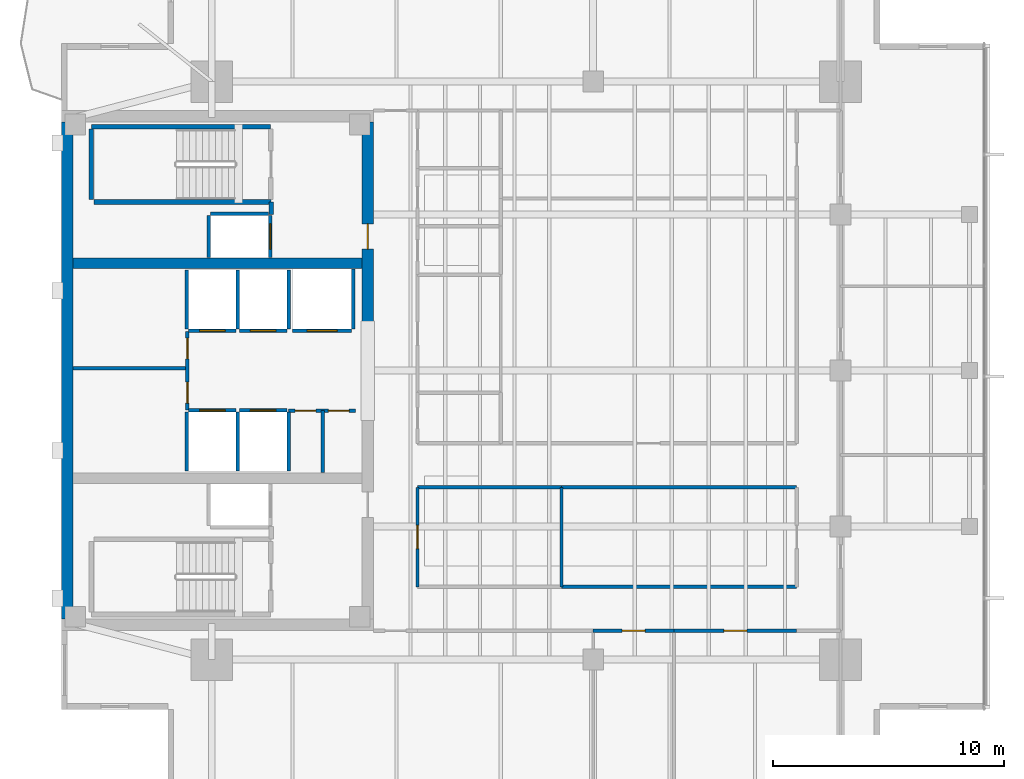
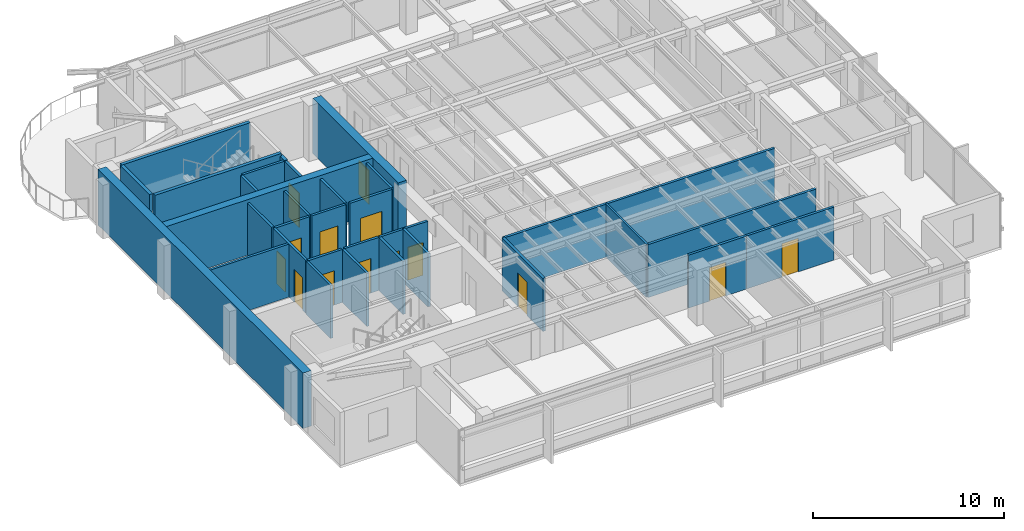
# One storey, part 8 of 14: 33 walls, 14 doors, 14 openings.
"""IFC4 building model written with IfcOpenShell, lengths in metres."""

from ifc_helpers import new_model, si_unit, direction, frame, frame_2d, origin, place, context, subcontext, project, spatial, rectangle, extrude, material, layer, layer_set, type_object, element, fill, save


model = new_model("IFC4")

# Units and contexts
model_context = context("Model", 3, precision=1e-05, world=origin(), true_north=direction((0.0, 1.0)))
body_context = subcontext(model_context, "Body", "Model", "MODEL_VIEW")
ifc_project = project(units=[si_unit("LENGTHUNIT", "METRE"), si_unit("AREAUNIT", "SQUARE_METRE"), si_unit("VOLUMEUNIT", "CUBIC_METRE"), si_unit("PLANEANGLEUNIT", "RADIAN"), si_unit("MASSUNIT", "GRAM", prefix="KILO")], contexts=[model_context])

# Site, building, storey
site_placement = place(None, origin())
site = spatial("IfcSite", under=ifc_project, at=site_placement, CompositionType="ELEMENT")
building_placement = place(site_placement, origin())
building = spatial("IfcBuilding", under=site, at=building_placement, Name="Kinhvarn Gate Tower", CompositionType="ELEMENT")
storey_placement = place(building_placement, frame((0.0, 0.0, 270.550048828125)))
storey = spatial("IfcBuildingStorey", under=building, at=storey_placement, Name="L72", CompositionType="ELEMENT", Elevation=270.550048828125)

# Wall
ifc_material_1 = material(Name="Concrete C50/60", Category="concrete")
ifc_layer_1 = layer(ifc_material_1, 0.449951171875)
ifc_layer_set_1 = layer_set([ifc_layer_1], Name="Concrete C50/60")
wall_type_1 = type_object("IfcWallType", Name="WL-CORE-450", PredefinedType="SHEAR", material=ifc_layer_set_1)
wall_1_placement = place(storey_placement, frame((5.0, 29.89990234375, 0.0), z_axis=(0.0, 0.0, 1.0), x_axis=(1.0, 0.0, 0.0)))
element("IfcWall", 1, at=wall_1_placement, inside=storey, type_object=wall_type_1, Name="Core North Spine Shear Wall L72 450 mm", PredefinedType="SHEAR", context=body_context, shape_type="SweptSolid", body=[
    extrude(rectangle(XDim=12.5, YDim=0.449951171875, at=frame_2d((6.25, 0.0))), origin(), (0.0, 0.0, 1.0), 3.550048828125),
])

# Wall, opening, door
ifc_layer_2 = layer(ifc_material_1, 0.5)
ifc_layer_set_2 = layer_set([ifc_layer_2], Name="Concrete C50/60")
wall_type_2 = type_object("IfcWallType", Name="WL-CORE-500", PredefinedType="SHEAR", material=ifc_layer_set_2)
wall_2_placement = place(storey_placement, frame((17.75, 27.050048828125, 0.0), z_axis=(0.0, 0.0, 1.0), x_axis=(0.0, 1.0, 0.0)))
wall_2 = element("IfcWall", 2, at=wall_2_placement, inside=storey, type_object=wall_type_2, Name="Core East-North Shear Pier L72 500 mm", PredefinedType="SHEAR", context=body_context, shape_type="SweptSolid", body=[
    extrude(rectangle(XDim=8.949951171875, YDim=0.5, at=frame_2d((4.47509765625, 0.0))), origin(), (0.0, 0.0, 1.0), 3.550048828125),
])
opening_1_placement = place(wall_2_placement, frame((3.449951171875, 0.0, 0.0)))
opening_1 = element("IfcOpeningElement", 3, at=opening_1_placement, cuts=wall_2, Name="Opening FD-02", PredefinedType="OPENING", context=body_context, shape_type="SweptSolid", body=[
    extrude(rectangle(XDim=1.10009765625, YDim=2.14990234375, at=frame_2d((0.550048828125, 1.074951171875))), frame((0.0, 0.260009765625, 0.0), z_axis=(0.0, -1.0, 0.0), x_axis=(1.0, 0.0, 0.0)), (0.0, 0.0, 1.0), 0.52001953125),
])
ifc_material_2 = material(Name="Anodised aluminium AW-6063", Category="aluminium")
door_type_1 = type_object("IfcDoorType", Name="DR-FD-1100", OperationType="NOTDEFINED", PredefinedType="DOOR", material=ifc_material_2)
door_1_placement = place(opening_1_placement, origin())
door_1 = element("IfcDoor", 4, at=door_1_placement, inside=storey, type_object=door_type_1, Name="Firefighting Lobby Core Door (L72)", OperationType="SINGLE_SWING_LEFT", OverallHeight=2.14990234375, OverallWidth=1.10009765625, PredefinedType="DOOR", context=body_context, shape_type="SweptSolid", body=[
    extrude(rectangle(XDim=1.10009765625, YDim=2.14990234375, at=frame_2d((0.550048828125, 1.074951171875))), frame((0.0, 0.02490234375, 0.0), z_axis=(0.0, -1.0, 0.0), x_axis=(1.0, 0.0, 0.0)), (0.0, 0.0, 1.0), 0.050048828125),
])
fill(opening_1, door_1)

# Walls
ifc_layer_3 = layer(ifc_material_1, 0.5)
ifc_layer_set_3 = layer_set([ifc_layer_3], Name="Concrete C50/60")
wall_type_3 = type_object("IfcWallType", Name="WL-COREX-500", PredefinedType="SHEAR", material=ifc_layer_set_3)
wall_3_placement = place(storey_placement, frame((4.75, 14.5, 0.0), z_axis=(0.0, 0.0, 1.0), x_axis=(0.0, 1.0, 0.0)))
element("IfcWall", 5, at=wall_3_placement, inside=storey, type_object=wall_type_3, Name="Core West Shear Wall L72 500 mm", PredefinedType="SHEAR", context=body_context, shape_type="SweptSolid", body=[
    extrude(rectangle(XDim=21.5, YDim=0.5, at=frame_2d((10.75, 0.0))), origin(), (0.0, 0.0, 1.0), 3.550048828125),
])
ifc_material_3 = material(Name="Gypsum acoustic partition board")
ifc_layer_4 = layer(ifc_material_3, 0.1201171875)
ifc_layer_set_4 = layer_set([ifc_layer_4], Name="Gypsum acoustic partition board")
wall_type_4 = type_object("IfcWallType", Name="WL-PRT-120", PredefinedType="PARTITIONING", material=ifc_layer_set_4)
wall_4_placement = place(storey_placement, frame((26.1298828125, 15.89990234375, 0.0), z_axis=(0.0, 0.0, 1.0), x_axis=(0.0, 1.0, 0.0)))
element("IfcWall", 6, at=wall_4_placement, inside=storey, type_object=wall_type_4, Name="Interior Partition PW-120 (L72)", PredefinedType="PARTITIONING", context=body_context, shape_type="SweptSolid", body=[
    extrude(rectangle(XDim=4.300048828125, YDim=0.1201171875, at=frame_2d((2.14990234375, 0.0))), origin(), (0.0, 0.0, 1.0), 3.389892578125),
])
ifc_layer_5 = layer(ifc_material_3, 0.14990234375)
ifc_layer_set_5 = layer_set([ifc_layer_5], Name="Gypsum acoustic partition board")
wall_type_5 = type_object("IfcWallType", Name="WL-PRT-150F", PredefinedType="PARTITIONING", material=ifc_layer_set_5)
wall_5_placement = place(storey_placement, frame((5.0, 25.35009765625, 0.0), z_axis=(0.0, 0.0, 1.0), x_axis=(1.0, 0.0, 0.0)))
element("IfcWall", 7, at=wall_5_placement, inside=storey, type_object=wall_type_5, Name="Interior Partition PW-150F (L72)", PredefinedType="PARTITIONING", context=body_context, shape_type="SweptSolid", body=[
    extrude(rectangle(XDim=4.949951171875, YDim=0.14990234375, at=frame_2d((2.47509765625, 0.0))), origin(), (0.0, 0.0, 1.0), 3.389892578125),
])

# Wall, openings, doors
wall_6_placement = place(storey_placement, frame((9.949951171875, 23.550048828125, 0.0), z_axis=(0.0, 0.0, 1.0), x_axis=(0.0, 1.0, 0.0)))
wall_6 = element("IfcWall", 8, at=wall_6_placement, inside=storey, type_object=wall_type_5, Name="Interior Partition PW-150F (L72)", PredefinedType="PARTITIONING", context=body_context, shape_type="SweptSolid", body=[
    extrude(rectangle(XDim=3.39990234375, YDim=0.14990234375, at=frame_2d((1.699951171875, 0.0))), origin(), (0.0, 0.0, 1.0), 3.389892578125),
])
opening_2_placement = place(wall_6_placement, frame((0.298095703125, 0.0, 0.0)))
opening_2 = element("IfcOpeningElement", 9, at=opening_2_placement, cuts=wall_6, Name="Opening FD-04", PredefinedType="OPENING", context=body_context, shape_type="SweptSolid", body=[
    extrude(rectangle(XDim=0.89990234375, YDim=2.10009765625, at=frame_2d((0.449951171875, 1.050048828125))), frame((0.0, 0.0849609375, 0.0), z_axis=(0.0, -1.0, 0.0), x_axis=(1.0, 0.0, 0.0)), (0.0, 0.0, 1.0), 0.169921875),
])
opening_3_placement = place(wall_6_placement, frame((2.201904296875, 0.0, 0.0)))
opening_3 = element("IfcOpeningElement", 10, at=opening_3_placement, cuts=wall_6, Name="Opening FD-04", PredefinedType="OPENING", context=body_context, shape_type="SweptSolid", body=[
    extrude(rectangle(XDim=0.89990234375, YDim=2.10009765625, at=frame_2d((0.449951171875, 1.050048828125))), frame((0.0, 0.0849609375, 0.0), z_axis=(0.0, -1.0, 0.0), x_axis=(1.0, 0.0, 0.0)), (0.0, 0.0, 1.0), 0.169921875),
])
door_type_2 = type_object("IfcDoorType", Name="DR-FD-900", OperationType="NOTDEFINED", PredefinedType="DOOR", material=ifc_material_2)
door_2_placement = place(opening_2_placement, origin())
door_2 = element("IfcDoor", 11, at=door_2_placement, inside=storey, type_object=door_type_2, Name="Rated Riser & Service Closet Fire Door 900x2100 mm (L72)", OperationType="SINGLE_SWING_RIGHT", OverallHeight=2.10009765625, OverallWidth=0.89990234375, PredefinedType="DOOR", context=body_context, shape_type="SweptSolid", body=[
    extrude(rectangle(XDim=0.89990234375, YDim=2.10009765625, at=frame_2d((0.449951171875, 1.050048828125))), frame((0.0, 0.02490234375, 0.0), z_axis=(0.0, -1.0, 0.0), x_axis=(1.0, 0.0, 0.0)), (0.0, 0.0, 1.0), 0.050048828125),
])
fill(opening_2, door_2)
door_3_placement = place(opening_3_placement, origin())
door_3 = element("IfcDoor", 12, at=door_3_placement, inside=storey, type_object=door_type_2, Name="Rated Riser & Service Closet Fire Door 900x2100 mm (L72)", OperationType="SINGLE_SWING_LEFT", OverallHeight=2.10009765625, OverallWidth=0.89990234375, PredefinedType="DOOR", context=body_context, shape_type="SweptSolid", body=[
    extrude(rectangle(XDim=0.89990234375, YDim=2.10009765625, at=frame_2d((0.449951171875, 1.050048828125))), frame((0.0, 0.02490234375, 0.0), z_axis=(0.0, -1.0, 0.0), x_axis=(1.0, 0.0, 0.0)), (0.0, 0.0, 1.0), 0.050048828125),
])
fill(opening_3, door_3)

# Wall
wall_7_placement = place(storey_placement, frame((15.800048828125, 20.85009765625, 0.0), z_axis=(0.0, 0.0, 1.0), x_axis=(0.0, 1.0, 0.0)))
element("IfcWall", 13, at=wall_7_placement, inside=storey, type_object=wall_type_5, Name="Interior Partition PW-150F (L72)", PredefinedType="PARTITIONING", context=body_context, shape_type="SweptSolid", body=[
    extrude(rectangle(XDim=2.669921875, YDim=0.14990234375, at=frame_2d((1.3349609375, 0.0))), origin(), (0.0, 0.0, 1.0), 3.389892578125),
])

# Wall, openings, doors
wall_8_placement = place(storey_placement, frame((14.330078125, 23.52001953125, 0.0), z_axis=(0.0, 0.0, 1.0), x_axis=(1.0, 0.0, 0.0)))
wall_8 = element("IfcWall", 14, at=wall_8_placement, inside=storey, type_object=wall_type_5, Name="Interior Partition PW-150F (L72)", PredefinedType="PARTITIONING", context=body_context, shape_type="SweptSolid", body=[
    extrude(rectangle(XDim=2.889892578125, YDim=0.14990234375, at=frame_2d((1.44482421875, 0.0))), origin(), (0.0, 0.0, 1.0), 3.389892578125),
])
opening_4_placement = place(wall_8_placement, frame((0.280029296875, 0.0, 0.0)))
opening_4 = element("IfcOpeningElement", 15, at=opening_4_placement, cuts=wall_8, Name="Opening FD-04", PredefinedType="OPENING", context=body_context, shape_type="SweptSolid", body=[
    extrude(rectangle(XDim=0.89990234375, YDim=2.10009765625, at=frame_2d((0.449951171875, 1.050048828125))), frame((0.0, 0.0849609375, 0.0), z_axis=(0.0, -1.0, 0.0), x_axis=(1.0, 0.0, 0.0)), (0.0, 0.0, 1.0), 0.169921875),
])
opening_5_placement = place(wall_8_placement, frame((1.7099609375, 0.0, 0.0)))
opening_5 = element("IfcOpeningElement", 16, at=opening_5_placement, cuts=wall_8, Name="Opening FD-04", PredefinedType="OPENING", context=body_context, shape_type="SweptSolid", body=[
    extrude(rectangle(XDim=0.89990234375, YDim=2.10009765625, at=frame_2d((0.449951171875, 1.050048828125))), frame((0.0, 0.0849609375, 0.0), z_axis=(0.0, -1.0, 0.0), x_axis=(1.0, 0.0, 0.0)), (0.0, 0.0, 1.0), 0.169921875),
])
door_4_placement = place(opening_4_placement, origin())
door_4 = element("IfcDoor", 17, at=door_4_placement, inside=storey, type_object=door_type_2, Name="Rated Riser & Service Closet Fire Door 900x2100 mm (L72)", OperationType="SINGLE_SWING_RIGHT", OverallHeight=2.10009765625, OverallWidth=0.89990234375, PredefinedType="DOOR", context=body_context, shape_type="SweptSolid", body=[
    extrude(rectangle(XDim=0.89990234375, YDim=2.10009765625, at=frame_2d((0.449951171875, 1.050048828125))), frame((0.0, 0.02490234375, 0.0), z_axis=(0.0, -1.0, 0.0), x_axis=(1.0, 0.0, 0.0)), (0.0, 0.0, 1.0), 0.050048828125),
])
fill(opening_4, door_4)
door_5_placement = place(opening_5_placement, origin())
door_5 = element("IfcDoor", 18, at=door_5_placement, inside=storey, type_object=door_type_2, Name="Rated Riser & Service Closet Fire Door 900x2100 mm (L72)", OperationType="SINGLE_SWING_LEFT", OverallHeight=2.10009765625, OverallWidth=0.89990234375, PredefinedType="DOOR", context=body_context, shape_type="SweptSolid", body=[
    extrude(rectangle(XDim=0.89990234375, YDim=2.10009765625, at=frame_2d((0.449951171875, 1.050048828125))), frame((0.0, 0.02490234375, 0.0), z_axis=(0.0, -1.0, 0.0), x_axis=(1.0, 0.0, 0.0)), (0.0, 0.0, 1.0), 0.050048828125),
])
fill(opening_5, door_5)

# Wall, opening, door
wall_9_placement = place(storey_placement, frame((19.89990234375, 15.89990234375, 0.0), z_axis=(0.0, 0.0, 1.0), x_axis=(0.0, 1.0, 0.0)))
wall_9 = element("IfcWall", 19, at=wall_9_placement, inside=storey, type_object=wall_type_5, Name="Interior Partition PW-150F (L72)", PredefinedType="PARTITIONING", context=body_context, shape_type="SweptSolid", body=[
    extrude(rectangle(XDim=4.300048828125, YDim=0.14990234375, at=frame_2d((2.14990234375, 0.0))), origin(), (0.0, 0.0, 1.0), 3.389892578125),
])
opening_6_placement = place(wall_9_placement, frame((1.64990234375, 0.0, 0.0)))
opening_6 = element("IfcOpeningElement", 20, at=opening_6_placement, cuts=wall_9, Name="Opening ID-02", PredefinedType="OPENING", context=body_context, shape_type="SweptSolid", body=[
    extrude(rectangle(XDim=1.0, YDim=2.14990234375, at=frame_2d((0.5, 1.074951171875))), frame((0.0, 0.0849609375, 0.0), z_axis=(0.0, -1.0, 0.0), x_axis=(1.0, 0.0, 0.0)), (0.0, 0.0, 1.0), 0.169921875),
])
door_type_3 = type_object("IfcDoorType", Name="DR-INT-1000", OperationType="NOTDEFINED", PredefinedType="DOOR", material=ifc_material_2)
door_6_placement = place(opening_6_placement, origin())
door_6 = element("IfcDoor", 21, at=door_6_placement, inside=storey, type_object=door_type_3, Name="Standard Office & Meeting Room Door 1000x2150 mm (L72)", OperationType="SINGLE_SWING_RIGHT", OverallHeight=2.14990234375, OverallWidth=1.0, PredefinedType="DOOR", context=body_context, shape_type="SweptSolid", body=[
    extrude(rectangle(XDim=1.0, YDim=2.14990234375, at=frame_2d((0.5, 1.074951171875))), frame((0.0, 0.02490234375, 0.0), z_axis=(0.0, -1.0, 0.0), x_axis=(1.0, 0.0, 0.0)), (0.0, 0.0, 1.0), 0.050048828125),
])
fill(opening_6, door_6)

# Walls
wall_10_placement = place(storey_placement, frame((19.89990234375, 20.199951171875, 0.0), z_axis=(0.0, 0.0, 1.0), x_axis=(1.0, 0.0, 0.0)))
element("IfcWall", 22, at=wall_10_placement, inside=storey, type_object=wall_type_5, Name="Interior Partition PW-150F (L72)", PredefinedType="PARTITIONING", context=body_context, shape_type="SweptSolid", body=[
    extrude(rectangle(XDim=6.22998046875, YDim=0.14990234375, at=frame_2d((3.114990234375, 0.0))), origin(), (0.0, 0.0, 1.0), 3.389892578125),
])
for number, where, z_axis, x_axis, name in (
    (23, (26.1298828125, 20.199951171875, 0.0), (0.0, 0.0, 1.0), (1.0, 0.0, 0.0), "Interior Partition PW-150F (L72)"),
    (24, (26.1298828125, 15.89990234375, 0.0), (0.0, 0.0, 1.0), (1.0, 0.0, 0.0), "Interior Partition PW-150F (L72)"),
):
    element("IfcWall", number, at=place(storey_placement, frame(where, z_axis=z_axis, x_axis=x_axis)), inside=storey, type_object=wall_type_5, Name=name, PredefinedType="PARTITIONING", context=body_context, shape_type="SweptSolid", body=[
        extrude(rectangle(XDim=10.170166015625, YDim=0.14990234375, at=frame_2d((5.0849609375, 0.0))), origin(), (0.0, 0.0, 1.0), 3.389892578125),
    ])

# Wall, opening, door
wall_11_placement = place(storey_placement, frame((27.5, 14.0, 0.0), z_axis=(0.0, 0.0, 1.0), x_axis=(1.0, 0.0, 0.0)))
wall_11 = element("IfcWall", 25, at=wall_11_placement, inside=storey, type_object=wall_type_5, Name="Interior Partition PW-150F (L72)", PredefinedType="PARTITIONING", context=body_context, shape_type="SweptSolid", body=[
    extrude(rectangle(XDim=3.5, YDim=0.14990234375, at=frame_2d((1.75, 0.0))), origin(), (0.0, 0.0, 1.0), 3.389892578125),
])
opening_7_placement = place(wall_11_placement, frame((1.25, 0.0, 0.0)))
opening_7 = element("IfcOpeningElement", 26, at=opening_7_placement, cuts=wall_11, Name="Opening ID-02", PredefinedType="OPENING", context=body_context, shape_type="SweptSolid", body=[
    extrude(rectangle(XDim=1.0, YDim=2.14990234375, at=frame_2d((0.5, 1.074951171875))), frame((0.0, 0.0849609375, 0.0), z_axis=(0.0, -1.0, 0.0), x_axis=(1.0, 0.0, 0.0)), (0.0, 0.0, 1.0), 0.169921875),
])
door_7_placement = place(opening_7_placement, origin())
door_7 = element("IfcDoor", 27, at=door_7_placement, inside=storey, type_object=door_type_3, Name="Standard Office & Meeting Room Door 1000x2150 mm (L72)", OperationType="SINGLE_SWING_RIGHT", OverallHeight=2.14990234375, OverallWidth=1.0, PredefinedType="DOOR", context=body_context, shape_type="SweptSolid", body=[
    extrude(rectangle(XDim=1.0, YDim=2.14990234375, at=frame_2d((0.5, 1.074951171875))), frame((0.0, 0.02490234375, 0.0), z_axis=(0.0, -1.0, 0.0), x_axis=(1.0, 0.0, 0.0)), (0.0, 0.0, 1.0), 0.050048828125),
])
fill(opening_7, door_7)

wall_12_placement = place(storey_placement, frame((31.0, 14.0, 0.0), z_axis=(0.0, 0.0, 1.0), x_axis=(1.0, 0.0, 0.0)))
wall_12 = element("IfcWall", 28, at=wall_12_placement, inside=storey, type_object=wall_type_5, Name="Interior Partition PW-150F (L72)", PredefinedType="PARTITIONING", context=body_context, shape_type="SweptSolid", body=[
    extrude(rectangle(XDim=5.300048828125, YDim=0.14990234375, at=frame_2d((2.64990234375, 0.0))), origin(), (0.0, 0.0, 1.0), 3.389892578125),
])
opening_8_placement = place(wall_12_placement, frame((2.14990234375, 0.0, 0.0)))
opening_8 = element("IfcOpeningElement", 29, at=opening_8_placement, cuts=wall_12, Name="Opening ID-02", PredefinedType="OPENING", context=body_context, shape_type="SweptSolid", body=[
    extrude(rectangle(XDim=1.0, YDim=2.14990234375, at=frame_2d((0.5, 1.074951171875))), frame((0.0, 0.0849609375, 0.0), z_axis=(0.0, -1.0, 0.0), x_axis=(1.0, 0.0, 0.0)), (0.0, 0.0, 1.0), 0.169921875),
])
door_8_placement = place(opening_8_placement, origin())
door_8 = element("IfcDoor", 30, at=door_8_placement, inside=storey, type_object=door_type_3, Name="Standard Office & Meeting Room Door 1000x2150 mm (L72)", OperationType="SINGLE_SWING_LEFT", OverallHeight=2.14990234375, OverallWidth=1.0, PredefinedType="DOOR", context=body_context, shape_type="SweptSolid", body=[
    extrude(rectangle(XDim=1.0, YDim=2.14990234375, at=frame_2d((0.5, 1.074951171875))), frame((0.0, 0.02490234375, 0.0), z_axis=(0.0, -1.0, 0.0), x_axis=(1.0, 0.0, 0.0)), (0.0, 0.0, 1.0), 0.050048828125),
])
fill(opening_8, door_8)

# Wall
ifc_layer_6 = layer(ifc_material_3, 0.199951171875)
ifc_layer_set_6 = layer_set([ifc_layer_6], Name="Gypsum acoustic partition board")
wall_type_6 = type_object("IfcWallType", Name="WL-PRT-200", PredefinedType="PARTITIONING", material=ifc_layer_set_6)
wall_13_placement = place(storey_placement, frame((13.580078125, 32.0, 0.0), z_axis=(0.0, 0.0, 1.0), x_axis=(0.0, 1.0, 0.0)))
element("IfcWall", 31, at=wall_13_placement, inside=storey, type_object=wall_type_6, Name="Interior Partition PW-200 (L72)", PredefinedType="PARTITIONING", context=body_context, shape_type="SweptSolid", body=[
    extrude(rectangle(XDim=0.5400390625, YDim=0.199951171875, at=frame_2d((0.27001953125, 0.0))), origin(), (0.0, 0.0, 1.0), 3.389892578125),
])

# Wall, opening, door
ifc_layer_7 = layer(ifc_material_3, 0.14990234375)
ifc_layer_set_7 = layer_set([ifc_layer_7], Name="Gypsum acoustic partition board")
wall_type_7 = type_object("IfcWallType", Name="WL-SHF-150", PredefinedType="PARTITIONING", material=ifc_layer_set_7)
wall_14_placement = place(storey_placement, frame((10.0, 23.52490234375, 0.0), z_axis=(0.0, 0.0, 1.0), x_axis=(1.0, 0.0, 0.0)))
wall_14 = element("IfcWall", 32, at=wall_14_placement, inside=storey, type_object=wall_type_7, Name="Elevator PH-09 Landing Wall (L72)", PredefinedType="PARTITIONING", context=body_context, shape_type="SweptSolid", body=[
    extrude(rectangle(XDim=2.050048828125, YDim=0.14990234375, at=frame_2d((1.02490234375, 0.0))), origin(), (0.0, 0.0, 1.0), 3.389892578125),
])
opening_9_placement = place(wall_14_placement, frame((0.47509765625, 0.0, 0.0)))
opening_9 = element("IfcOpeningElement", 33, at=opening_9_placement, cuts=wall_14, Name="Opening LD-01", PredefinedType="OPENING", context=body_context, shape_type="SweptSolid", body=[
    extrude(rectangle(XDim=1.10009765625, YDim=2.199951171875, at=frame_2d((0.550048828125, 1.10009765625))), frame((0.0, 0.0849609375, 0.0), z_axis=(0.0, -1.0, 0.0), x_axis=(1.0, 0.0, 0.0)), (0.0, 0.0, 1.0), 0.169921875),
])
door_type_4 = type_object("IfcDoorType", Name="DR-LND-PAS", OperationType="NOTDEFINED", PredefinedType="DOOR", material=ifc_material_2)
door_9_placement = place(opening_9_placement, origin())
door_9 = element("IfcDoor", 34, at=door_9_placement, inside=storey, type_object=door_type_4, Name="Elevator PH-09 Sliding Landing Door (L72)", OperationType="DOUBLE_DOOR_SLIDING", OverallHeight=2.199951171875, OverallWidth=1.10009765625, PredefinedType="DOOR", context=body_context, shape_type="SweptSolid", body=[
    extrude(rectangle(XDim=1.10009765625, YDim=2.199951171875, at=frame_2d((0.550048828125, 1.10009765625))), frame((0.0, 0.02490234375, 0.0), z_axis=(0.0, -1.0, 0.0), x_axis=(1.0, 0.0, 0.0)), (0.0, 0.0, 1.0), 0.050048828125),
])
fill(opening_9, door_9)

# Walls
for number, where, z_axis, x_axis, name in (
    (35, (9.925048828125, 20.89990234375, 0.0), (0.0, 0.0, 1.0), (0.0, 1.0, 0.0), "Elevator PH-09 Hoistway Wall W (L72)"),
    (36, (12.125, 20.89990234375, 0.0), (0.0, 0.0, 1.0), (0.0, 1.0, 0.0), "Elevator PH-09 Hoistway Wall E (L72)"),
):
    element("IfcWall", number, at=place(storey_placement, frame(where, z_axis=z_axis, x_axis=x_axis)), inside=storey, type_object=wall_type_7, Name=name, PredefinedType="PARTITIONING", context=body_context, shape_type="SweptSolid", body=[
        extrude(rectangle(XDim=2.550048828125, YDim=0.14990234375, at=frame_2d((1.27490234375, 0.0))), origin(), (0.0, 0.0, 1.0), 3.389892578125),
    ])

# Wall, opening, door
wall_15_placement = place(storey_placement, frame((12.199951171875, 23.52490234375, 0.0), z_axis=(0.0, 0.0, 1.0), x_axis=(1.0, 0.0, 0.0)))
wall_15 = element("IfcWall", 37, at=wall_15_placement, inside=storey, type_object=wall_type_7, Name="Elevator PH-10 Landing Wall (L72)", PredefinedType="PARTITIONING", context=body_context, shape_type="SweptSolid", body=[
    extrude(rectangle(XDim=2.050048828125, YDim=0.14990234375, at=frame_2d((1.02490234375, 0.0))), origin(), (0.0, 0.0, 1.0), 3.389892578125),
])
opening_10_placement = place(wall_15_placement, frame((0.47509765625, 0.0, 0.0)))
opening_10 = element("IfcOpeningElement", 38, at=opening_10_placement, cuts=wall_15, Name="Opening LD-01", PredefinedType="OPENING", context=body_context, shape_type="SweptSolid", body=[
    extrude(rectangle(XDim=1.10009765625, YDim=2.199951171875, at=frame_2d((0.550048828125, 1.10009765625))), frame((0.0, 0.0849609375, 0.0), z_axis=(0.0, -1.0, 0.0), x_axis=(1.0, 0.0, 0.0)), (0.0, 0.0, 1.0), 0.169921875),
])
door_10_placement = place(opening_10_placement, origin())
door_10 = element("IfcDoor", 39, at=door_10_placement, inside=storey, type_object=door_type_4, Name="Elevator PH-10 Sliding Landing Door (L72)", OperationType="DOUBLE_DOOR_SLIDING", OverallHeight=2.199951171875, OverallWidth=1.10009765625, PredefinedType="DOOR", context=body_context, shape_type="SweptSolid", body=[
    extrude(rectangle(XDim=1.10009765625, YDim=2.199951171875, at=frame_2d((0.550048828125, 1.10009765625))), frame((0.0, 0.02490234375, 0.0), z_axis=(0.0, -1.0, 0.0), x_axis=(1.0, 0.0, 0.0)), (0.0, 0.0, 1.0), 0.050048828125),
])
fill(opening_10, door_10)

# Wall
wall_16_placement = place(storey_placement, frame((14.324951171875, 20.89990234375, 0.0), z_axis=(0.0, 0.0, 1.0), x_axis=(0.0, 1.0, 0.0)))
element("IfcWall", 40, at=wall_16_placement, inside=storey, type_object=wall_type_7, Name="Elevator PH-10 Hoistway Wall E (L72)", PredefinedType="PARTITIONING", context=body_context, shape_type="SweptSolid", body=[
    extrude(rectangle(XDim=2.550048828125, YDim=0.14990234375, at=frame_2d((1.27490234375, 0.0))), origin(), (0.0, 0.0, 1.0), 3.389892578125),
])

# Wall, opening, door
wall_17_placement = place(storey_placement, frame((10.0, 26.97509765625, 0.0), z_axis=(0.0, 0.0, 1.0), x_axis=(1.0, 0.0, 0.0)))
wall_17 = element("IfcWall", 41, at=wall_17_placement, inside=storey, type_object=wall_type_7, Name="Elevator PH-11 Landing Wall (L72)", PredefinedType="PARTITIONING", context=body_context, shape_type="SweptSolid", body=[
    extrude(rectangle(XDim=2.050048828125, YDim=0.14990234375, at=frame_2d((1.02490234375, 0.0))), origin(), (0.0, 0.0, 1.0), 3.389892578125),
])
opening_11_placement = place(wall_17_placement, frame((0.47509765625, 0.0, 0.0)))
opening_11 = element("IfcOpeningElement", 42, at=opening_11_placement, cuts=wall_17, Name="Opening LD-01", PredefinedType="OPENING", context=body_context, shape_type="SweptSolid", body=[
    extrude(rectangle(XDim=1.10009765625, YDim=2.199951171875, at=frame_2d((0.550048828125, 1.10009765625))), frame((0.0, 0.0849609375, 0.0), z_axis=(0.0, -1.0, 0.0), x_axis=(1.0, 0.0, 0.0)), (0.0, 0.0, 1.0), 0.169921875),
])
door_11_placement = place(opening_11_placement, origin())
door_11 = element("IfcDoor", 43, at=door_11_placement, inside=storey, type_object=door_type_4, Name="Elevator PH-11 Sliding Landing Door (L72)", OperationType="DOUBLE_DOOR_SLIDING", OverallHeight=2.199951171875, OverallWidth=1.10009765625, PredefinedType="DOOR", context=body_context, shape_type="SweptSolid", body=[
    extrude(rectangle(XDim=1.10009765625, YDim=2.199951171875, at=frame_2d((0.550048828125, 1.10009765625))), frame((0.0, 0.02490234375, 0.0), z_axis=(0.0, -1.0, 0.0), x_axis=(1.0, 0.0, 0.0)), (0.0, 0.0, 1.0), 0.050048828125),
])
fill(opening_11, door_11)

# Walls
for number, where, z_axis, x_axis, name in (
    (44, (9.925048828125, 27.050048828125, 0.0), (0.0, 0.0, 1.0), (0.0, 1.0, 0.0), "Elevator PH-11 Hoistway Wall W (L72)"),
    (45, (12.125, 27.050048828125, 0.0), (0.0, 0.0, 1.0), (0.0, 1.0, 0.0), "Elevator PH-11 Hoistway Wall E (L72)"),
):
    element("IfcWall", number, at=place(storey_placement, frame(where, z_axis=z_axis, x_axis=x_axis)), inside=storey, type_object=wall_type_7, Name=name, PredefinedType="PARTITIONING", context=body_context, shape_type="SweptSolid", body=[
        extrude(rectangle(XDim=2.550048828125, YDim=0.14990234375, at=frame_2d((1.27490234375, 0.0))), origin(), (0.0, 0.0, 1.0), 3.389892578125),
    ])

# Wall, opening, door
wall_18_placement = place(storey_placement, frame((12.199951171875, 26.97509765625, 0.0), z_axis=(0.0, 0.0, 1.0), x_axis=(1.0, 0.0, 0.0)))
wall_18 = element("IfcWall", 46, at=wall_18_placement, inside=storey, type_object=wall_type_7, Name="Elevator PH-12 Landing Wall (L72)", PredefinedType="PARTITIONING", context=body_context, shape_type="SweptSolid", body=[
    extrude(rectangle(XDim=2.050048828125, YDim=0.14990234375, at=frame_2d((1.02490234375, 0.0))), origin(), (0.0, 0.0, 1.0), 3.389892578125),
])
opening_12_placement = place(wall_18_placement, frame((0.47509765625, 0.0, 0.0)))
opening_12 = element("IfcOpeningElement", 47, at=opening_12_placement, cuts=wall_18, Name="Opening LD-01", PredefinedType="OPENING", context=body_context, shape_type="SweptSolid", body=[
    extrude(rectangle(XDim=1.10009765625, YDim=2.199951171875, at=frame_2d((0.550048828125, 1.10009765625))), frame((0.0, 0.0849609375, 0.0), z_axis=(0.0, -1.0, 0.0), x_axis=(1.0, 0.0, 0.0)), (0.0, 0.0, 1.0), 0.169921875),
])
door_12_placement = place(opening_12_placement, origin())
door_12 = element("IfcDoor", 48, at=door_12_placement, inside=storey, type_object=door_type_4, Name="Elevator PH-12 Sliding Landing Door (L72)", OperationType="DOUBLE_DOOR_SLIDING", OverallHeight=2.199951171875, OverallWidth=1.10009765625, PredefinedType="DOOR", context=body_context, shape_type="SweptSolid", body=[
    extrude(rectangle(XDim=1.10009765625, YDim=2.199951171875, at=frame_2d((0.550048828125, 1.10009765625))), frame((0.0, 0.02490234375, 0.0), z_axis=(0.0, -1.0, 0.0), x_axis=(1.0, 0.0, 0.0)), (0.0, 0.0, 1.0), 0.050048828125),
])
fill(opening_12, door_12)

# Wall
wall_19_placement = place(storey_placement, frame((14.324951171875, 27.050048828125, 0.0), z_axis=(0.0, 0.0, 1.0), x_axis=(0.0, 1.0, 0.0)))
element("IfcWall", 49, at=wall_19_placement, inside=storey, type_object=wall_type_7, Name="Elevator PH-12 Hoistway Wall E (L72)", PredefinedType="PARTITIONING", context=body_context, shape_type="SweptSolid", body=[
    extrude(rectangle(XDim=2.550048828125, YDim=0.14990234375, at=frame_2d((1.27490234375, 0.0))), origin(), (0.0, 0.0, 1.0), 3.389892578125),
])

# Wall, opening, door
wall_20_placement = place(storey_placement, frame((14.5, 26.97509765625, 0.0), z_axis=(0.0, 0.0, 1.0), x_axis=(1.0, 0.0, 0.0)))
wall_20 = element("IfcWall", 50, at=wall_20_placement, inside=storey, type_object=wall_type_7, Name="Elevator SV-01 Landing Wall (L72)", PredefinedType="PARTITIONING", context=body_context, shape_type="SweptSolid", body=[
    extrude(rectangle(XDim=2.550048828125, YDim=0.14990234375, at=frame_2d((1.27490234375, 0.0))), origin(), (0.0, 0.0, 1.0), 3.389892578125),
])
opening_13_placement = place(wall_20_placement, frame((0.625, 0.0, 0.0)))
opening_13 = element("IfcOpeningElement", 51, at=opening_13_placement, cuts=wall_20, Name="Opening LD-02", PredefinedType="OPENING", context=body_context, shape_type="SweptSolid", body=[
    extrude(rectangle(XDim=1.300048828125, YDim=2.199951171875, at=frame_2d((0.64990234375, 1.10009765625))), frame((0.0, 0.0849609375, 0.0), z_axis=(0.0, -1.0, 0.0), x_axis=(1.0, 0.0, 0.0)), (0.0, 0.0, 1.0), 0.169921875),
])
door_type_5 = type_object("IfcDoorType", Name="DR-LND-SRV", OperationType="NOTDEFINED", PredefinedType="DOOR", material=ifc_material_2)
door_13_placement = place(opening_13_placement, origin())
door_13 = element("IfcDoor", 52, at=door_13_placement, inside=storey, type_object=door_type_5, Name="Elevator SV-01 Sliding Landing Door (L72)", OperationType="DOUBLE_DOOR_SLIDING", OverallHeight=2.199951171875, OverallWidth=1.300048828125, PredefinedType="DOOR", context=body_context, shape_type="SweptSolid", body=[
    extrude(rectangle(XDim=1.300048828125, YDim=2.199951171875, at=frame_2d((0.64990234375, 1.10009765625))), frame((0.0, 0.02490234375, 0.0), z_axis=(0.0, -1.0, 0.0), x_axis=(1.0, 0.0, 0.0)), (0.0, 0.0, 1.0), 0.050048828125),
])
fill(opening_13, door_13)

# Walls
wall_21_placement = place(storey_placement, frame((17.125, 27.050048828125, 0.0), z_axis=(0.0, 0.0, 1.0), x_axis=(0.0, 1.0, 0.0)))
element("IfcWall", 53, at=wall_21_placement, inside=storey, type_object=wall_type_7, Name="Elevator SV-01 Hoistway Wall E (L72)", PredefinedType="PARTITIONING", context=body_context, shape_type="SweptSolid", body=[
    extrude(rectangle(XDim=2.599853515625, YDim=0.14990234375, at=frame_2d((1.2998046875, 0.0))), origin(), (0.0, 0.0, 1.0), 3.389892578125),
])
wall_22_placement = place(storey_placement, frame((10.949951171875, 32.02490234375, 0.0), z_axis=(0.0, 0.0, 1.0), x_axis=(1.0, 0.0, 0.0)))
element("IfcWall", 54, at=wall_22_placement, inside=storey, type_object=wall_type_7, Name="Elevator FF2 Hoistway Wall N (L72)", PredefinedType="PARTITIONING", context=body_context, shape_type="SweptSolid", body=[
    extrude(rectangle(XDim=2.5, YDim=0.14990234375, at=frame_2d((1.25, 0.0))), origin(), (0.0, 0.0, 1.0), 3.389892578125),
])
wall_23_placement = place(storey_placement, frame((10.875, 30.14990234375, 0.0), z_axis=(0.0, 0.0, 1.0), x_axis=(0.0, 1.0, 0.0)))
element("IfcWall", 55, at=wall_23_placement, inside=storey, type_object=wall_type_7, Name="Elevator FF2 Hoistway Wall W (L72)", PredefinedType="PARTITIONING", context=body_context, shape_type="SweptSolid", body=[
    extrude(rectangle(XDim=1.800048828125, YDim=0.14990234375, at=frame_2d((0.89990234375, 0.0))), origin(), (0.0, 0.0, 1.0), 3.389892578125),
])

# Wall, opening, door
wall_24_placement = place(storey_placement, frame((13.52490234375, 30.14990234375, 0.0), z_axis=(0.0, 0.0, 1.0), x_axis=(0.0, 1.0, 0.0)))
wall_24 = element("IfcWall", 56, at=wall_24_placement, inside=storey, type_object=wall_type_7, Name="Elevator FF2 Landing Wall (L72)", PredefinedType="PARTITIONING", context=body_context, shape_type="SweptSolid", body=[
    extrude(rectangle(XDim=1.800048828125, YDim=0.14990234375, at=frame_2d((0.89990234375, 0.0))), origin(), (0.0, 0.0, 1.0), 3.389892578125),
])
opening_14_placement = place(wall_24_placement, frame((0.35009765625, 0.0, 0.0)))
opening_14 = element("IfcOpeningElement", 57, at=opening_14_placement, cuts=wall_24, Name="Opening LD-03", PredefinedType="OPENING", context=body_context, shape_type="SweptSolid", body=[
    extrude(rectangle(XDim=1.10009765625, YDim=2.199951171875, at=frame_2d((0.550048828125, 1.10009765625))), frame((0.0, 0.0849609375, 0.0), z_axis=(0.0, -1.0, 0.0), x_axis=(1.0, 0.0, 0.0)), (0.0, 0.0, 1.0), 0.169921875),
])
door_type_6 = type_object("IfcDoorType", Name="DR-LND-FF", OperationType="NOTDEFINED", PredefinedType="DOOR", material=ifc_material_2)
door_14_placement = place(opening_14_placement, origin())
door_14 = element("IfcDoor", 58, at=door_14_placement, inside=storey, type_object=door_type_6, Name="Elevator FF2 Sliding Landing Door (L72)", OperationType="DOUBLE_DOOR_SLIDING", OverallHeight=2.199951171875, OverallWidth=1.10009765625, PredefinedType="DOOR", context=body_context, shape_type="SweptSolid", body=[
    extrude(rectangle(XDim=1.10009765625, YDim=2.199951171875, at=frame_2d((0.550048828125, 1.10009765625))), frame((0.0, 0.02490234375, 0.0), z_axis=(0.0, -1.0, 0.0), x_axis=(1.0, 0.0, 0.0)), (0.0, 0.0, 1.0), 0.050048828125),
])
fill(opening_14, door_14)

# Walls
ifc_material_4 = material(Name="Concrete C40/50", Category="concrete")
ifc_layer_8 = layer(ifc_material_4, 0.199951171875)
ifc_layer_set_8 = layer_set([ifc_layer_8], Name="Concrete C40/50")
wall_type_8 = type_object("IfcWallType", Name="WL-SHF-200", PredefinedType="SOLIDWALL", material=ifc_layer_set_8)
wall_25_placement = place(storey_placement, frame((5.800048828125, 35.800048828125, 0.0), z_axis=(0.0, 0.0, 1.0), x_axis=(1.0, 0.0, 0.0)))
element("IfcWall", 59, at=wall_25_placement, inside=storey, type_object=wall_type_8, Name="Stair ST2 North Shaft Wall (L72)", PredefinedType="SOLIDWALL", context=body_context, shape_type="SweptSolid", body=[
    extrude(rectangle(XDim=7.75, YDim=0.199951171875, at=frame_2d((3.875, 0.0))), origin(), (0.0, 0.0, 1.0), 3.550048828125),
])
wall_26_placement = place(storey_placement, frame((5.7900390625, 32.64990234375, 0.0), z_axis=(0.0, 0.0, 1.0), x_axis=(0.0, 1.0, 0.0)))
element("IfcWall", 60, at=wall_26_placement, inside=storey, type_object=wall_type_8, Name="Stair ST2 West Shaft Wall (L72)", PredefinedType="SOLIDWALL", context=body_context, shape_type="SweptSolid", body=[
    extrude(rectangle(XDim=3.050048828125, YDim=0.199951171875, at=frame_2d((1.52490234375, 0.0))), origin(), (0.0, 0.0, 1.0), 3.550048828125),
])
wall_27_placement = place(storey_placement, frame((5.89990234375, 32.5400390625, 0.0), z_axis=(0.0, 0.0, 1.0), x_axis=(1.0, 0.0, 0.0)))
element("IfcWall", 61, at=wall_27_placement, inside=storey, type_object=wall_type_8, Name="Stair ST2 South Shaft Wall (L72)", PredefinedType="SOLIDWALL", context=body_context, shape_type="SweptSolid", body=[
    extrude(rectangle(XDim=7.66015625, YDim=0.199951171875, at=frame_2d((3.830078125, 0.0))), origin(), (0.0, 0.0, 1.0), 3.550048828125),
])

save(model, "model.ifc")
